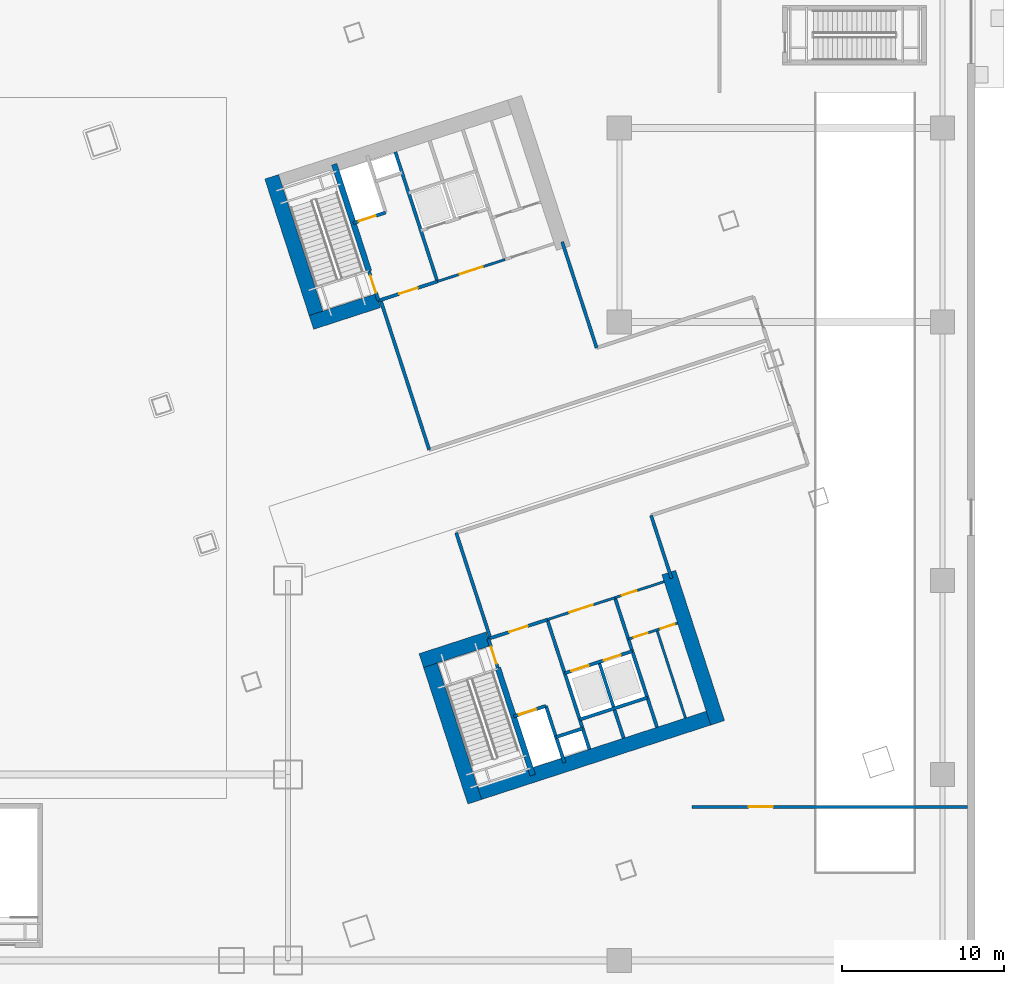
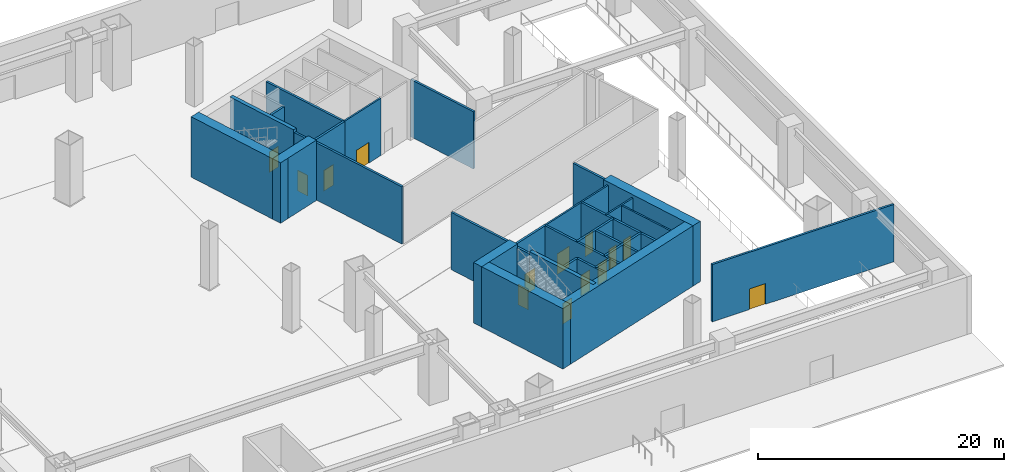
# One storey, part 16 of 31: 32 walls, 14 doors, 14 openings.
"""IFC4 building model written with IfcOpenShell, lengths in metres."""

from ifc_helpers import new_model, si_unit, direction, frame, frame_2d, origin, place, context, subcontext, project, spatial, rectangle, extrude, material, layer, layer_set, type_object, element, fill, save


model = new_model("IFC4")

# Units and contexts
model_context = context("Model", 3, precision=1e-05, world=origin(), true_north=direction((0.0, 1.0)))
body_context = subcontext(model_context, "Body", "Model", "MODEL_VIEW")
ifc_project = project(units=[si_unit("LENGTHUNIT", "METRE"), si_unit("AREAUNIT", "SQUARE_METRE"), si_unit("VOLUMEUNIT", "CUBIC_METRE"), si_unit("PLANEANGLEUNIT", "RADIAN"), si_unit("MASSUNIT", "GRAM", prefix="KILO")], contexts=[model_context])

# Site, building, storey
site_placement = place(None, origin())
site = spatial("IfcSite", under=ifc_project, at=site_placement, CompositionType="ELEMENT")
building_placement = place(site_placement, origin())
building = spatial("IfcBuilding", under=site, at=building_placement, Name="Qiaolan Cultural Towers", CompositionType="ELEMENT")
storey_placement = place(building_placement, origin())
storey = spatial("IfcBuildingStorey", under=building, at=storey_placement, Name="L00", CompositionType="ELEMENT", Elevation=0.0)

# Walls
ifc_material_1 = material(Name="Concrete C50", Category="concrete")
ifc_layer_1 = layer(ifc_material_1, 0.35009765625)
ifc_layer_set_1 = layer_set([ifc_layer_1], Name="Concrete C50")
wall_type_1 = type_object("IfcWallType", Name="WL-CORE-350", PredefinedType="SHEAR", material=ifc_layer_set_1)
for number, where, z_axis, x_axis, name in (
    (1, (90.486328125, 20.59423828125, 0.0), (0.0, 0.0, 1.0), (0.309020428229, -0.951055400562, 0.0), "L00 T2-CS Stair Core Dividing Web"),
    (2, (82.513671875, 45.13134765625, 0.0), (0.0, 0.0, 1.0), (-0.308988790936, 0.951065679686, 0.0), "L00 T2-CN Stair Core Dividing Web"),
):
    element("IfcWall", number, at=place(storey_placement, frame(where, z_axis=z_axis, x_axis=x_axis)), inside=storey, type_object=wall_type_1, Name=name, PredefinedType="SHEAR", context=body_context, shape_type="SweptSolid", body=[
        extrude(rectangle(XDim=6.97998046875, YDim=0.35009765625, at=frame_2d((3.489990234375, 0.0))), origin(), (0.0, 0.0, 1.0), 6.0),
    ])
ifc_material_2 = material(Name="Concrete C60", Category="concrete")
ifc_layer_2 = layer(ifc_material_2, 0.89990234375)
ifc_layer_set_2 = layer_set([ifc_layer_2], Name="Concrete C60")
wall_type_2 = type_object("IfcWallType", Name="WL-CORE-900", PredefinedType="SHEAR", material=ifc_layer_set_2)
wall_1_placement = place(storey_placement, frame((88.4873046875, 12.60546875, 0.0), z_axis=(0.0, 0.0, 1.0), x_axis=(0.951055016115, 0.309021611416, 0.0)))
element("IfcWall", 3, at=wall_1_placement, inside=storey, type_object=wall_type_2, Name="L00 T2-CS Outer Core Shear Wall", PredefinedType="SHEAR", context=body_context, shape_type="SweptSolid", body=[
    extrude(rectangle(XDim=16.699951171875, YDim=0.89990234375, at=frame_2d((8.35009765625, 0.0))), origin(), (0.0, 0.0, 1.0), 6.0),
])
wall_2_placement = place(storey_placement, frame((86.031982421875, 21.617919921875, 0.0), z_axis=(0.0, 0.0, 1.0), x_axis=(0.30901438634, -0.951057363693, 0.0)))
element("IfcWall", 4, at=wall_2_placement, inside=storey, type_object=wall_type_2, Name="L00 T2-CS West Core Shear Wall", PredefinedType="SHEAR", context=body_context, shape_type="SweptSolid", body=[
    extrude(rectangle(XDim=9.7802734375, YDim=0.89990234375, at=frame_2d((4.89013671875, 0.0))), origin(), (0.0, 0.0, 1.0), 6.0),
])
wall_3_placement = place(storey_placement, frame((101.058837890625, 26.500244140625, 0.0), z_axis=(0.0, 0.0, 1.0), x_axis=(0.309021722829, -0.951054979914, 0.0)))
element("IfcWall", 5, at=wall_3_placement, inside=storey, type_object=wall_type_2, Name="L00 T2-CS East Core Shear Wall", PredefinedType="SHEAR", context=body_context, shape_type="SweptSolid", body=[
    extrude(rectangle(XDim=9.780029296875, YDim=0.89990234375, at=frame_2d((4.89013671875, 0.0))), origin(), (0.0, 0.0, 1.0), 6.0),
])
wall_4_placement = place(storey_placement, frame((85.7431640625, 21.05078125, 0.0), z_axis=(0.0, 0.0, 1.0), x_axis=(0.951063623806, 0.308995118848, 0.0)))
element("IfcWall", 6, at=wall_4_placement, inside=storey, type_object=wall_type_2, Name="L00 T2-CS Stair Front Shear Wall", PredefinedType="SHEAR", context=body_context, shape_type="SweptSolid", body=[
    extrude(rectangle(XDim=4.3701171875, YDim=0.89990234375, at=frame_2d((2.18505859375, 0.0))), origin(), (0.0, 0.0, 1.0), 6.0),
])
wall_5_placement = place(storey_placement, frame((79.511962890625, 41.68505859375, 0.0), z_axis=(0.0, 0.0, 1.0), x_axis=(-0.309021722829, 0.951054979914, 0.0)))
element("IfcWall", 7, at=wall_5_placement, inside=storey, type_object=wall_type_2, Name="L00 T2-CN West Core Shear Wall", PredefinedType="SHEAR", context=body_context, shape_type="SweptSolid", body=[
    extrude(rectangle(XDim=9.780029296875, YDim=0.89990234375, at=frame_2d((4.89013671875, 0.0))), origin(), (0.0, 0.0, 1.0), 6.0),
])
wall_6_placement = place(storey_placement, frame((78.94482421875, 41.97412109375, 0.0), z_axis=(0.0, 0.0, 1.0), x_axis=(0.951058289404, 0.309011537255, 0.0)))
element("IfcWall", 8, at=wall_6_placement, inside=storey, type_object=wall_type_2, Name="L00 T2-CN Stair Front Shear Wall", PredefinedType="SHEAR", context=body_context, shape_type="SweptSolid", body=[
    extrude(rectangle(XDim=4.369873046875, YDim=0.89990234375, at=frame_2d((2.18505859375, 0.0))), origin(), (0.0, 0.0, 1.0), 6.0),
])

# Wall, opening, door
ifc_material_3 = material(Name="Concrete C35 Fire Wall", Category="concrete")
ifc_layer_3 = layer(ifc_material_3, 0.199951171875)
ifc_layer_set_3 = layer_set([ifc_layer_3], Name="Concrete C35 Fire Wall")
wall_type_3 = type_object("IfcWallType", Name="WL-FIRE-200", PredefinedType="PARTITIONING", material=ifc_layer_set_3)
wall_7_placement = place(storey_placement, frame((89.8994140625, 22.401123046875, 0.0), z_axis=(0.0, 0.0, 1.0), x_axis=(0.308932062672, -0.951084108086, 0.0)))
wall_7 = element("IfcWall", 9, at=wall_7_placement, inside=storey, type_object=wall_type_3, Name="L00 T2-CS Smokeproof Stair Entry Wall", PredefinedType="PARTITIONING", context=body_context, shape_type="SweptSolid", body=[
    extrude(rectangle(XDim=1.89990234375, YDim=0.199951171875, at=frame_2d((0.949951171875, 0.0))), origin(), (0.0, 0.0, 1.0), 5.68505859375),
])
opening_1_placement = place(wall_7_placement, frame((0.52001953125, 0.0, 0.0)))
opening_1 = element("IfcOpeningElement", 10, at=opening_1_placement, cuts=wall_7, Name="Opening FD-04", PredefinedType="OPENING", context=body_context, shape_type="SweptSolid", body=[
    extrude(rectangle(XDim=1.10009765625, YDim=2.050048828125, at=frame_2d((0.550048828125, 1.02490234375))), frame((0.0, 0.10986328125, 0.0), z_axis=(0.0, -1.0, 0.0), x_axis=(1.0, 0.0, 0.0)), (0.0, 0.0, 1.0), 0.219970703125),
])
ifc_material_4 = material(Name="Galvanized Steel Command Fire Door", Category="steel")
door_type_1 = type_object("IfcDoorType", Name="DR-FD90-1100", OperationType="NOTDEFINED", PredefinedType="DOOR", material=ifc_material_4)
door_1_placement = place(opening_1_placement, origin())
door_1 = element("IfcDoor", 11, at=door_1_placement, inside=storey, type_object=door_type_1, Name="L00 ST-E1 Smokeproof Stair Fire Door", OperationType="SINGLE_SWING_LEFT", OverallHeight=2.050048828125, OverallWidth=1.10009765625, PredefinedType="DOOR", context=body_context, shape_type="SweptSolid", body=[
    extrude(rectangle(XDim=1.10009765625, YDim=2.050048828125, at=frame_2d((0.550048828125, 1.02490234375))), frame((0.0, 0.02490234375, 0.0), z_axis=(0.0, -1.0, 0.0), x_axis=(1.0, 0.0, 0.0)), (0.0, 0.0, 1.0), 0.050048828125),
])
fill(opening_1, door_1)

# Wall
wall_8_placement = place(storey_placement, frame((93.541748046875, 23.584716796875, 0.0), z_axis=(0.0, 0.0, 1.0), x_axis=(0.309042196757, -0.951048327176, 0.0)))
element("IfcWall", 12, at=wall_8_placement, inside=storey, type_object=wall_type_3, Name="L00 T2-CS Firefighting Zone Wall", PredefinedType="PARTITIONING", context=body_context, shape_type="SweptSolid", body=[
    extrude(rectangle(XDim=8.429931640625, YDim=0.199951171875, at=frame_2d((4.21484375, 0.0))), origin(), (0.0, 0.0, 1.0), 5.68505859375),
])

# Wall, opening, door
wall_9_placement = place(storey_placement, frame((89.8994140625, 22.401123046875, 0.0), z_axis=(0.0, 0.0, 1.0), x_axis=(0.951046716504, 0.309047153403, 0.0)))
wall_9 = element("IfcWall", 13, at=wall_9_placement, inside=storey, type_object=wall_type_3, Name="L00 T2-CS Firefighting Lobby Front Wall", PredefinedType="PARTITIONING", context=body_context, shape_type="SweptSolid", body=[
    extrude(rectangle(XDim=3.829833984375, YDim=0.199951171875, at=frame_2d((1.9150390625, 0.0))), origin(), (0.0, 0.0, 1.0), 5.68505859375),
])
opening_2_placement = place(wall_9_placement, frame((1.35009765625, 0.0, 0.0)))
opening_2 = element("IfcOpeningElement", 14, at=opening_2_placement, cuts=wall_9, Name="Opening FD-03", PredefinedType="OPENING", context=body_context, shape_type="SweptSolid", body=[
    extrude(rectangle(XDim=1.199951171875, YDim=2.050048828125, at=frame_2d((0.60009765625, 1.02490234375))), frame((0.0, 0.10986328125, 0.0), z_axis=(0.0, -1.0, 0.0), x_axis=(1.0, 0.0, 0.0)), (0.0, 0.0, 1.0), 0.219970703125),
])
ifc_material_5 = material(Name="Galvanized Steel Smokeproof Lobby Fire Door", Category="steel")
door_type_2 = type_object("IfcDoorType", Name="DR-FD90-1200", OperationType="NOTDEFINED", PredefinedType="DOOR", material=ifc_material_5)
door_2_placement = place(opening_2_placement, origin())
door_2 = element("IfcDoor", 15, at=door_2_placement, inside=storey, type_object=door_type_2, Name="L00 FFL-E1 Firefighting Lobby Fire Door", OperationType="SINGLE_SWING_LEFT", OverallHeight=2.050048828125, OverallWidth=1.199951171875, PredefinedType="DOOR", context=body_context, shape_type="SweptSolid", body=[
    extrude(rectangle(XDim=1.199951171875, YDim=2.050048828125, at=frame_2d((0.60009765625, 1.02490234375))), frame((0.0, 0.02490234375, 0.0), z_axis=(0.0, -1.0, 0.0), x_axis=(1.0, 0.0, 0.0)), (0.0, 0.0, 1.0), 0.050048828125),
])
fill(opening_2, door_2)

wall_10_placement = place(storey_placement, frame((91.459716796875, 17.598388671875, 0.0), z_axis=(0.0, 0.0, 1.0), x_axis=(0.951062257173, 0.308999325213, 0.0)))
wall_10 = element("IfcWall", 16, at=wall_10_placement, inside=storey, type_object=wall_type_3, Name="L00 T2-CS Firefighting Shaft Front Wall", PredefinedType="PARTITIONING", context=body_context, shape_type="SweptSolid", body=[
    extrude(rectangle(XDim=2.10009765625, YDim=0.199951171875, at=frame_2d((1.050048828125, 0.0))), origin(), (0.0, 0.0, 1.0), 5.68505859375),
])
opening_3_placement = place(wall_10_placement, frame((0.35009765625, 0.0, 0.0)))
opening_3 = element("IfcOpeningElement", 17, at=opening_3_placement, cuts=wall_10, Name="Opening LD-01", PredefinedType="OPENING", context=body_context, shape_type="SweptSolid", body=[
    extrude(rectangle(XDim=1.10009765625, YDim=2.050048828125, at=frame_2d((0.550048828125, 1.02490234375))), frame((0.0, 0.10986328125, 0.0), z_axis=(0.0, -1.0, 0.0), x_axis=(1.0, 0.0, 0.0)), (0.0, 0.0, 1.0), 0.219970703125),
])
ifc_material_6 = material(Name="Brushed Stainless Steel S30408 Centre-Parting Lift Landing Door", Category="steel")
door_type_3 = type_object("IfcDoorType", Name="DR-LIFT-1100", OperationType="NOTDEFINED", PredefinedType="DOOR", material=ifc_material_6)
door_3_placement = place(opening_3_placement, origin())
door_3 = element("IfcDoor", 18, at=door_3_placement, inside=storey, type_object=door_type_3, Name="L00 FFL-E1 Firefighting Lift Landing Door", OperationType="DOUBLE_DOOR_SLIDING", OverallHeight=2.050048828125, OverallWidth=1.10009765625, PredefinedType="DOOR", context=body_context, shape_type="SweptSolid", body=[
    extrude(rectangle(XDim=1.10009765625, YDim=2.050048828125, at=frame_2d((0.550048828125, 1.02490234375))), frame((0.0, 0.02490234375, 0.0), z_axis=(0.0, -1.0, 0.0), x_axis=(1.0, 0.0, 0.0)), (0.0, 0.0, 1.0), 0.050048828125),
])
fill(opening_3, door_3)

# Walls
wall_11_placement = place(storey_placement, frame((93.45703125, 18.247314453125, 0.0), z_axis=(0.0, 0.0, 1.0), x_axis=(0.3089935693, -0.951064127245, 0.0)))
element("IfcWall", 19, at=wall_11_placement, inside=storey, type_object=wall_type_3, Name="L00 T2-CS Firefighting Hoistway East Wall", PredefinedType="PARTITIONING", context=body_context, shape_type="SweptSolid", body=[
    extrude(rectangle(XDim=3.7001953125, YDim=0.199951171875, at=frame_2d((1.85009765625, 0.0))), origin(), (0.0, 0.0, 1.0), 5.68505859375),
])
wall_12_placement = place(storey_placement, frame((94.08447265625, 16.316650390625, 0.0), z_axis=(0.0, 0.0, 1.0), x_axis=(0.951041328149, 0.309063734775, 0.0)))
element("IfcWall", 20, at=wall_12_placement, inside=storey, type_object=wall_type_3, Name="L00 T2-CS Pressurization Shaft Front Wall", PredefinedType="PARTITIONING", context=body_context, shape_type="SweptSolid", body=[
    extrude(rectangle(XDim=1.72998046875, YDim=0.199951171875, at=frame_2d((0.864990234375, 0.0))), origin(), (0.0, 0.0, 1.0), 5.68505859375),
])
wall_13_placement = place(storey_placement, frame((97.7265625, 24.9443359375, 0.0), z_axis=(0.0, 0.0, 1.0), x_axis=(0.309016001439, -0.951056838919, 0.0)))
element("IfcWall", 21, at=wall_13_placement, inside=storey, type_object=wall_type_3, Name="L00 T2-CS Lift Core East Wall", PredefinedType="PARTITIONING", context=body_context, shape_type="SweptSolid", body=[
    extrude(rectangle(XDim=8.429931640625, YDim=0.199951171875, at=frame_2d((4.21484375, 0.0))), origin(), (0.0, 0.0, 1.0), 5.68505859375),
])

# Wall, openings, doors
wall_14_placement = place(storey_placement, frame((94.6171875, 20.275146484375, 0.0), z_axis=(0.0, 0.0, 1.0), x_axis=(0.951058531764, 0.30901079133, 0.0)))
wall_14 = element("IfcWall", 22, at=wall_14_placement, inside=storey, type_object=wall_type_3, Name="L00 T2-CS Passenger Lift Shaft Front Wall", PredefinedType="PARTITIONING", context=body_context, shape_type="SweptSolid", body=[
    extrude(rectangle(XDim=4.39990234375, YDim=0.199951171875, at=frame_2d((2.199951171875, 0.0))), origin(), (0.0, 0.0, 1.0), 5.68505859375),
])
opening_4_placement = place(wall_14_placement, frame((0.449951171875, 0.0, 0.0)))
opening_4 = element("IfcOpeningElement", 23, at=opening_4_placement, cuts=wall_14, Name="Opening LD-01", PredefinedType="OPENING", context=body_context, shape_type="SweptSolid", body=[
    extrude(rectangle(XDim=1.10009765625, YDim=2.050048828125, at=frame_2d((0.550048828125, 1.02490234375))), frame((0.0, 0.10986328125, 0.0), z_axis=(0.0, -1.0, 0.0), x_axis=(1.0, 0.0, 0.0)), (0.0, 0.0, 1.0), 0.219970703125),
])
opening_5_placement = place(wall_14_placement, frame((2.550048828125, 0.0, 0.0)))
opening_5 = element("IfcOpeningElement", 24, at=opening_5_placement, cuts=wall_14, Name="Opening LD-01", PredefinedType="OPENING", context=body_context, shape_type="SweptSolid", body=[
    extrude(rectangle(XDim=1.10009765625, YDim=2.050048828125, at=frame_2d((0.550048828125, 1.02490234375))), frame((0.0, 0.10986328125, 0.0), z_axis=(0.0, -1.0, 0.0), x_axis=(1.0, 0.0, 0.0)), (0.0, 0.0, 1.0), 0.219970703125),
])
door_4_placement = place(opening_4_placement, origin())
door_4 = element("IfcDoor", 25, at=door_4_placement, inside=storey, type_object=door_type_3, Name="L00 Passenger Lift 1 Landing Door", OperationType="DOUBLE_DOOR_SLIDING", OverallHeight=2.050048828125, OverallWidth=1.10009765625, PredefinedType="DOOR", context=body_context, shape_type="SweptSolid", body=[
    extrude(rectangle(XDim=1.10009765625, YDim=2.050048828125, at=frame_2d((0.550048828125, 1.02490234375))), frame((0.0, 0.02490234375, 0.0), z_axis=(0.0, -1.0, 0.0), x_axis=(1.0, 0.0, 0.0)), (0.0, 0.0, 1.0), 0.050048828125),
])
fill(opening_4, door_4)
door_5_placement = place(opening_5_placement, origin())
door_5 = element("IfcDoor", 26, at=door_5_placement, inside=storey, type_object=door_type_3, Name="L00 Passenger Lift 2 Landing Door", OperationType="DOUBLE_DOOR_SLIDING", OverallHeight=2.050048828125, OverallWidth=1.10009765625, PredefinedType="DOOR", context=body_context, shape_type="SweptSolid", body=[
    extrude(rectangle(XDim=1.10009765625, YDim=2.050048828125, at=frame_2d((0.550048828125, 1.02490234375))), frame((0.0, 0.02490234375, 0.0), z_axis=(0.0, -1.0, 0.0), x_axis=(1.0, 0.0, 0.0)), (0.0, 0.0, 1.0), 0.050048828125),
])
fill(opening_5, door_5)

# Walls
wall_15_placement = place(storey_placement, frame((96.738037109375, 20.964111328125, 0.0), z_axis=(0.0, 0.0, 1.0), x_axis=(0.309042578481, -0.951048203135, 0.0)))
element("IfcWall", 27, at=wall_15_placement, inside=storey, type_object=wall_type_3, Name="L00 T2-CS Lift Shaft Divider Wall", PredefinedType="PARTITIONING", context=body_context, shape_type="SweptSolid", body=[
    extrude(rectangle(XDim=4.9501953125, YDim=0.199951171875, at=frame_2d((2.47509765625, 0.0))), origin(), (0.0, 0.0, 1.0), 5.68505859375),
])
wall_16_placement = place(storey_placement, frame((95.550537109375, 17.40283203125, 0.0), z_axis=(0.0, 0.0, 1.0), x_axis=(0.951058531764, 0.30901079133, 0.0)))
element("IfcWall", 28, at=wall_16_placement, inside=storey, type_object=wall_type_3, Name="L00 T2-CS Passenger Lift Shaft Back Wall", PredefinedType="PARTITIONING", context=body_context, shape_type="SweptSolid", body=[
    extrude(rectangle(XDim=4.39990234375, YDim=0.199951171875, at=frame_2d((2.199951171875, 0.0))), origin(), (0.0, 0.0, 1.0), 5.68505859375),
])

# Wall, opening, door
wall_17_placement = place(storey_placement, frame((83.100830078125, 43.324462890625, 0.0), z_axis=(0.0, 0.0, 1.0), x_axis=(-0.309048298632, 0.951046344356, 0.0)))
wall_17 = element("IfcWall", 29, at=wall_17_placement, inside=storey, type_object=wall_type_3, Name="L00 T2-CN Smokeproof Stair Entry Wall", PredefinedType="PARTITIONING", context=body_context, shape_type="SweptSolid", body=[
    extrude(rectangle(XDim=1.89990234375, YDim=0.199951171875, at=frame_2d((0.949951171875, 0.0))), origin(), (0.0, 0.0, 1.0), 5.68505859375),
])
opening_6_placement = place(wall_17_placement, frame((0.52001953125, 0.0, 0.0)))
opening_6 = element("IfcOpeningElement", 30, at=opening_6_placement, cuts=wall_17, Name="Opening FD-04", PredefinedType="OPENING", context=body_context, shape_type="SweptSolid", body=[
    extrude(rectangle(XDim=1.10009765625, YDim=2.050048828125, at=frame_2d((0.550048828125, 1.02490234375))), frame((0.0, 0.10986328125, 0.0), z_axis=(0.0, -1.0, 0.0), x_axis=(1.0, 0.0, 0.0)), (0.0, 0.0, 1.0), 0.219970703125),
])
door_6_placement = place(opening_6_placement, origin())
door_6 = element("IfcDoor", 31, at=door_6_placement, inside=storey, type_object=door_type_1, Name="L00 ST-E2 Smokeproof Stair Fire Door", OperationType="SINGLE_SWING_LEFT", OverallHeight=2.050048828125, OverallWidth=1.10009765625, PredefinedType="DOOR", context=body_context, shape_type="SweptSolid", body=[
    extrude(rectangle(XDim=1.10009765625, YDim=2.050048828125, at=frame_2d((0.550048828125, 1.02490234375))), frame((0.0, 0.02490234375, 0.0), z_axis=(0.0, -1.0, 0.0), x_axis=(1.0, 0.0, 0.0)), (0.0, 0.0, 1.0), 0.050048828125),
])
fill(opening_6, door_6)

# Wall
wall_18_placement = place(storey_placement, frame((86.743408203125, 44.508056640625, 0.0), z_axis=(0.0, 0.0, 1.0), x_axis=(-0.309016001439, 0.951056838919, 0.0)))
element("IfcWall", 32, at=wall_18_placement, inside=storey, type_object=wall_type_3, Name="L00 T2-CN Firefighting Zone Wall", PredefinedType="PARTITIONING", context=body_context, shape_type="SweptSolid", body=[
    extrude(rectangle(XDim=8.429931640625, YDim=0.199951171875, at=frame_2d((4.21484375, 0.0))), origin(), (0.0, 0.0, 1.0), 5.68505859375),
])

# Wall, opening, door
wall_19_placement = place(storey_placement, frame((83.100830078125, 43.324462890625, 0.0), z_axis=(0.0, 0.0, 1.0), x_axis=(0.951052804469, 0.309028417967, 0.0)))
wall_19 = element("IfcWall", 33, at=wall_19_placement, inside=storey, type_object=wall_type_3, Name="L00 T2-CN Firefighting Lobby Front Wall", PredefinedType="PARTITIONING", context=body_context, shape_type="SweptSolid", body=[
    extrude(rectangle(XDim=3.830078125, YDim=0.199951171875, at=frame_2d((1.9150390625, 0.0))), origin(), (0.0, 0.0, 1.0), 5.68505859375),
])
opening_7_placement = place(wall_19_placement, frame((1.35009765625, 0.0, 0.0)))
opening_7 = element("IfcOpeningElement", 34, at=opening_7_placement, cuts=wall_19, Name="Opening FD-03", PredefinedType="OPENING", context=body_context, shape_type="SweptSolid", body=[
    extrude(rectangle(XDim=1.199951171875, YDim=2.050048828125, at=frame_2d((0.60009765625, 1.02490234375))), frame((0.0, 0.10986328125, 0.0), z_axis=(0.0, -1.0, 0.0), x_axis=(1.0, 0.0, 0.0)), (0.0, 0.0, 1.0), 0.219970703125),
])
door_7_placement = place(opening_7_placement, origin())
door_7 = element("IfcDoor", 35, at=door_7_placement, inside=storey, type_object=door_type_2, Name="L00 FFL-E2 Firefighting Lobby Fire Door", OperationType="SINGLE_SWING_LEFT", OverallHeight=2.050048828125, OverallWidth=1.199951171875, PredefinedType="DOOR", context=body_context, shape_type="SweptSolid", body=[
    extrude(rectangle(XDim=1.199951171875, YDim=2.050048828125, at=frame_2d((0.60009765625, 1.02490234375))), frame((0.0, 0.02490234375, 0.0), z_axis=(0.0, -1.0, 0.0), x_axis=(1.0, 0.0, 0.0)), (0.0, 0.0, 1.0), 0.050048828125),
])
fill(opening_7, door_7)

wall_20_placement = place(storey_placement, frame((81.540283203125, 48.127197265625, 0.0), z_axis=(0.0, 0.0, 1.0), x_axis=(0.951062257173, 0.308999325213, 0.0)))
wall_20 = element("IfcWall", 36, at=wall_20_placement, inside=storey, type_object=wall_type_3, Name="L00 T2-CN Firefighting Shaft Front Wall", PredefinedType="PARTITIONING", context=body_context, shape_type="SweptSolid", body=[
    extrude(rectangle(XDim=2.10009765625, YDim=0.199951171875, at=frame_2d((1.050048828125, 0.0))), origin(), (0.0, 0.0, 1.0), 5.68505859375),
])
opening_8_placement = place(wall_20_placement, frame((0.35009765625, 0.0, 0.0)))
opening_8 = element("IfcOpeningElement", 37, at=opening_8_placement, cuts=wall_20, Name="Opening LD-01", PredefinedType="OPENING", context=body_context, shape_type="SweptSolid", body=[
    extrude(rectangle(XDim=1.10009765625, YDim=2.050048828125, at=frame_2d((0.550048828125, 1.02490234375))), frame((0.0, 0.10986328125, 0.0), z_axis=(0.0, -1.0, 0.0), x_axis=(1.0, 0.0, 0.0)), (0.0, 0.0, 1.0), 0.219970703125),
])
door_8_placement = place(opening_8_placement, origin())
door_8 = element("IfcDoor", 38, at=door_8_placement, inside=storey, type_object=door_type_3, Name="L00 FFL-E2 Firefighting Lift Landing Door", OperationType="DOUBLE_DOOR_SLIDING", OverallHeight=2.050048828125, OverallWidth=1.10009765625, PredefinedType="DOOR", context=body_context, shape_type="SweptSolid", body=[
    extrude(rectangle(XDim=1.10009765625, YDim=2.050048828125, at=frame_2d((0.550048828125, 1.02490234375))), frame((0.0, 0.02490234375, 0.0), z_axis=(0.0, -1.0, 0.0), x_axis=(1.0, 0.0, 0.0)), (0.0, 0.0, 1.0), 0.050048828125),
])
fill(opening_8, door_8)

wall_21_placement = place(storey_placement, frame((102.5, 12.0, 0.0), z_axis=(0.0, 0.0, 1.0), x_axis=(1.0, 0.0, 0.0)))
wall_21 = element("IfcWall", 39, at=wall_21_placement, inside=storey, type_object=wall_type_3, Name="L00 Podium Partition L00-SE-EXN", PredefinedType="PARTITIONING", context=body_context, shape_type="SweptSolid", body=[
    extrude(rectangle(XDim=17.050048828125, YDim=0.199951171875, at=frame_2d((8.52490234375, 0.0))), origin(), (0.0, 0.0, 1.0), 5.68505859375),
])
opening_9_placement = place(wall_21_placement, frame((3.5, 0.0, 0.0)))
opening_9 = element("IfcOpeningElement", 40, at=opening_9_placement, cuts=wall_21, Name="Opening FD-02", PredefinedType="OPENING", context=body_context, shape_type="SweptSolid", body=[
    extrude(rectangle(XDim=1.5, YDim=2.050048828125, at=frame_2d((0.75, 1.02490234375))), frame((0.0, 0.10986328125, 0.0), z_axis=(0.0, -1.0, 0.0), x_axis=(1.0, 0.0, 0.0)), (0.0, 0.0, 1.0), 0.219970703125),
])
ifc_material_7 = material(Name="Galvanized Steel Double Fire Door", Category="steel")
door_type_4 = type_object("IfcDoorType", Name="DR-FD90-1500", OperationType="NOTDEFINED", PredefinedType="DOOR", material=ifc_material_7)
door_9_placement = place(opening_9_placement, origin())
door_9 = element("IfcDoor", 41, at=door_9_placement, inside=storey, type_object=door_type_4, Name="Southeast Protected Stair Exit Corridor Fire Door", OperationType="SINGLE_SWING_RIGHT", OverallHeight=2.050048828125, OverallWidth=1.5, PredefinedType="DOOR", context=body_context, shape_type="SweptSolid", body=[
    extrude(rectangle(XDim=1.5, YDim=2.050048828125, at=frame_2d((0.75, 1.02490234375))), frame((0.0, 0.02490234375, 0.0), z_axis=(0.0, -1.0, 0.0), x_axis=(1.0, 0.0, 0.0)), (0.0, 0.0, 1.0), 0.050048828125),
])
fill(opening_9, door_9)

# Walls
wall_22_placement = place(storey_placement, frame((90.007568359375, 22.489013671875, 0.0), z_axis=(0.0, 0.0, 1.0), x_axis=(-0.309023559774, 0.951054383043, 0.0)))
element("IfcWall", 42, at=wall_22_placement, inside=storey, type_object=wall_type_3, Name="L00 ST-E1 Passageway West Wall", PredefinedType="PARTITIONING", context=body_context, shape_type="SweptSolid", body=[
    extrude(rectangle(XDim=6.7998046875, YDim=0.199951171875, at=frame_2d((3.39990234375, 0.0))), origin(), (0.0, 0.0, 1.0), 5.68505859375),
])
wall_23_placement = place(storey_placement, frame((101.22998046875, 26.13525390625, 0.0), z_axis=(0.0, 0.0, 1.0), x_axis=(-0.30903760131, 0.951049820449, 0.0)))
element("IfcWall", 43, at=wall_23_placement, inside=storey, type_object=wall_type_3, Name="L00 ST-E1 Passageway Inner Wall", PredefinedType="PARTITIONING", context=body_context, shape_type="SweptSolid", body=[
    extrude(rectangle(XDim=4.10009765625, YDim=0.199951171875, at=frame_2d((2.050048828125, 0.0))), origin(), (0.0, 0.0, 1.0), 5.68505859375),
])
wall_24_placement = place(storey_placement, frame((86.237548828125, 34.091796875, 0.0), z_axis=(0.0, 0.0, 1.0), x_axis=(-0.309022900594, 0.951054597228, 0.0)))
element("IfcWall", 44, at=wall_24_placement, inside=storey, type_object=wall_type_3, Name="L00 ST-E2 Passageway West Wall", PredefinedType="PARTITIONING", context=body_context, shape_type="SweptSolid", body=[
    extrude(rectangle(XDim=9.7001953125, YDim=0.199951171875, at=frame_2d((4.85009765625, 0.0))), origin(), (0.0, 0.0, 1.0), 5.68505859375),
])
wall_25_placement = place(storey_placement, frame((94.46240234375, 46.96337890625, 0.0), z_axis=(0.0, 0.0, 1.0), x_axis=(0.309032467762, -0.951051488548, 0.0)))
element("IfcWall", 45, at=wall_25_placement, inside=storey, type_object=wall_type_3, Name="L00 ST-E2 Passageway Inner Wall", PredefinedType="PARTITIONING", context=body_context, shape_type="SweptSolid", body=[
    extrude(rectangle(XDim=6.89990234375, YDim=0.199951171875, at=frame_2d((3.449951171875, 0.0))), origin(), (0.0, 0.0, 1.0), 5.68505859375),
])

# Wall, opening, door
ifc_material_8 = material(Name="Autoclaved Aerated Concrete Block B06", Category="concrete")
ifc_layer_4 = layer(ifc_material_8, 0.14990234375)
ifc_layer_set_4 = layer_set([ifc_layer_4], Name="Autoclaved Aerated Concrete Block B06")
wall_type_4 = type_object("IfcWallType", Name="WL-PART-150", PredefinedType="PARTITIONING", material=ifc_layer_set_4)
wall_26_placement = place(storey_placement, frame((93.541748046875, 23.584716796875, 0.0), z_axis=(0.0, 0.0, 1.0), x_axis=(0.951063829732, 0.308994485023, 0.0)))
wall_26 = element("IfcWall", 46, at=wall_26_placement, inside=storey, type_object=wall_type_4, Name="L00 T2-CS Passenger Lift Lobby Front Wall", PredefinedType="PARTITIONING", context=body_context, shape_type="SweptSolid", body=[
    extrude(rectangle(XDim=4.400146484375, YDim=0.14990234375, at=frame_2d((2.2001953125, 0.0))), origin(), (0.0, 0.0, 1.0), 5.68505859375),
])
opening_10_placement = place(wall_26_placement, frame((1.449951171875, 0.0, 0.0)))
opening_10 = element("IfcOpeningElement", 47, at=opening_10_placement, cuts=wall_26, Name="Opening FD-05", PredefinedType="OPENING", context=body_context, shape_type="SweptSolid", body=[
    extrude(rectangle(XDim=1.5, YDim=2.050048828125, at=frame_2d((0.75, 1.02490234375))), frame((0.0, 0.0849609375, 0.0), z_axis=(0.0, -1.0, 0.0), x_axis=(1.0, 0.0, 0.0)), (0.0, 0.0, 1.0), 0.169921875),
])
ifc_material_9 = material(Name="Painted Steel Lift Lobby Fire Door", Category="steel")
door_type_5 = type_object("IfcDoorType", Name="DR-FD60-1500", OperationType="NOTDEFINED", PredefinedType="DOOR", material=ifc_material_9)
door_10_placement = place(opening_10_placement, origin())
door_10 = element("IfcDoor", 48, at=door_10_placement, inside=storey, type_object=door_type_5, Name="L00 Passenger Lift Lobby Entrance", OperationType="SINGLE_SWING_LEFT", OverallHeight=2.050048828125, OverallWidth=1.5, PredefinedType="DOOR", context=body_context, shape_type="SweptSolid", body=[
    extrude(rectangle(XDim=1.5, YDim=2.050048828125, at=frame_2d((0.75, 1.02490234375))), frame((0.0, 0.02490234375, 0.0), z_axis=(0.0, -1.0, 0.0), x_axis=(1.0, 0.0, 0.0)), (0.0, 0.0, 1.0), 0.050048828125),
])
fill(opening_10, door_10)

wall_27_placement = place(storey_placement, frame((97.7265625, 24.9443359375, 0.0), z_axis=(0.0, 0.0, 1.0), x_axis=(0.951036872128, 0.309077446369, 0.0)))
wall_27 = element("IfcWall", 49, at=wall_27_placement, inside=storey, type_object=wall_type_4, Name="L00 T2-CS Sanitary Core Front Wall", PredefinedType="PARTITIONING", context=body_context, shape_type="SweptSolid", body=[
    extrude(rectangle(XDim=3.199951171875, YDim=0.14990234375, at=frame_2d((1.60009765625, 0.0))), origin(), (0.0, 0.0, 1.0), 5.68505859375),
])
opening_11_placement = place(wall_27_placement, frame((0.449951171875, 0.0, 0.0)))
opening_11 = element("IfcOpeningElement", 50, at=opening_11_placement, cuts=wall_27, Name="Opening ID-05", PredefinedType="OPENING", context=body_context, shape_type="SweptSolid", body=[
    extrude(rectangle(XDim=0.949951171875, YDim=2.050048828125, at=frame_2d((0.47509765625, 1.02490234375))), frame((0.0, 0.0849609375, 0.0), z_axis=(0.0, -1.0, 0.0), x_axis=(1.0, 0.0, 0.0)), (0.0, 0.0, 1.0), 0.169921875),
])
ifc_material_10 = material(Name="Fire-Rated Laminate Accessible Core Door", Category="timber")
door_type_6 = type_object("IfcDoorType", Name="DR-INT-950", OperationType="NOTDEFINED", PredefinedType="DOOR", material=ifc_material_10)
door_11_placement = place(opening_11_placement, origin())
door_11 = element("IfcDoor", 51, at=door_11_placement, inside=storey, type_object=door_type_6, Name="L00 Sanitary Vestibule Door", OperationType="SINGLE_SWING_LEFT", OverallHeight=2.050048828125, OverallWidth=0.949951171875, PredefinedType="DOOR", context=body_context, shape_type="SweptSolid", body=[
    extrude(rectangle(XDim=0.949951171875, YDim=2.050048828125, at=frame_2d((0.47509765625, 1.02490234375))), frame((0.0, 0.02490234375, 0.0), z_axis=(0.0, -1.0, 0.0), x_axis=(1.0, 0.0, 0.0)), (0.0, 0.0, 1.0), 0.050048828125),
])
fill(opening_11, door_11)

# Wall, openings, doors
wall_28_placement = place(storey_placement, frame((98.560791015625, 22.37646484375, 0.0), z_axis=(0.0, 0.0, 1.0), x_axis=(0.95104415986, 0.309055020985, 0.0)))
wall_28 = element("IfcWall", 52, at=wall_28_placement, inside=storey, type_object=wall_type_4, Name="L00 T2-CS Restroom Vestibule Wall", PredefinedType="PARTITIONING", context=body_context, shape_type="SweptSolid", body=[
    extrude(rectangle(XDim=3.2001953125, YDim=0.14990234375, at=frame_2d((1.60009765625, 0.0))), origin(), (0.0, 0.0, 1.0), 5.68505859375),
])
opening_12_placement = place(wall_28_placement, frame((0.35009765625, 0.0, 0.0)))
opening_12 = element("IfcOpeningElement", 53, at=opening_12_placement, cuts=wall_28, Name="Opening ID-06", PredefinedType="OPENING", context=body_context, shape_type="SweptSolid", body=[
    extrude(rectangle(XDim=0.89990234375, YDim=2.050048828125, at=frame_2d((0.449951171875, 1.02490234375))), frame((0.0, 0.0849609375, 0.0), z_axis=(0.0, -1.0, 0.0), x_axis=(1.0, 0.0, 0.0)), (0.0, 0.0, 1.0), 0.169921875),
])
opening_13_placement = place(wall_28_placement, frame((2.10009765625, 0.0, 0.0)))
opening_13 = element("IfcOpeningElement", 54, at=opening_13_placement, cuts=wall_28, Name="Opening ID-06", PredefinedType="OPENING", context=body_context, shape_type="SweptSolid", body=[
    extrude(rectangle(XDim=0.89990234375, YDim=2.050048828125, at=frame_2d((0.449951171875, 1.02490234375))), frame((0.0, 0.0849609375, 0.0), z_axis=(0.0, -1.0, 0.0), x_axis=(1.0, 0.0, 0.0)), (0.0, 0.0, 1.0), 0.169921875),
])
ifc_material_11 = material(Name="Fire-Rated Laminate Core Service Door", Category="timber")
door_type_7 = type_object("IfcDoorType", Name="DR-INT-900", OperationType="NOTDEFINED", PredefinedType="DOOR", material=ifc_material_11)
door_12_placement = place(opening_12_placement, origin())
door_12 = element("IfcDoor", 55, at=door_12_placement, inside=storey, type_object=door_type_7, Name="L00 Men Restroom Door", OperationType="SINGLE_SWING_LEFT", OverallHeight=2.050048828125, OverallWidth=0.89990234375, PredefinedType="DOOR", context=body_context, shape_type="SweptSolid", body=[
    extrude(rectangle(XDim=0.89990234375, YDim=2.050048828125, at=frame_2d((0.449951171875, 1.02490234375))), frame((0.0, 0.02490234375, 0.0), z_axis=(0.0, -1.0, 0.0), x_axis=(1.0, 0.0, 0.0)), (0.0, 0.0, 1.0), 0.050048828125),
])
fill(opening_12, door_12)
door_13_placement = place(opening_13_placement, origin())
door_13 = element("IfcDoor", 56, at=door_13_placement, inside=storey, type_object=door_type_7, Name="L00 Accessible & Women Restroom Door", OperationType="SINGLE_SWING_RIGHT", OverallHeight=2.050048828125, OverallWidth=0.89990234375, PredefinedType="DOOR", context=body_context, shape_type="SweptSolid", body=[
    extrude(rectangle(XDim=0.89990234375, YDim=2.050048828125, at=frame_2d((0.449951171875, 1.02490234375))), frame((0.0, 0.02490234375, 0.0), z_axis=(0.0, -1.0, 0.0), x_axis=(1.0, 0.0, 0.0)), (0.0, 0.0, 1.0), 0.050048828125),
])
fill(opening_13, door_13)

# Wall
wall_29_placement = place(storey_placement, frame((100.3203125, 22.9482421875, 0.0), z_axis=(0.0, 0.0, 1.0), x_axis=(0.309035009867, -0.951050662518, 0.0)))
element("IfcWall", 57, at=wall_29_placement, inside=storey, type_object=wall_type_4, Name="L00 T2-CS Restroom Divider Wall", PredefinedType="PARTITIONING", context=body_context, shape_type="SweptSolid", body=[
    extrude(rectangle(XDim=5.72998046875, YDim=0.14990234375, at=frame_2d((2.864990234375, 0.0))), origin(), (0.0, 0.0, 1.0), 5.68505859375),
])

# Wall, opening, door
wall_30_placement = place(storey_placement, frame((86.743408203125, 44.508056640625, 0.0), z_axis=(0.0, 0.0, 1.0), x_axis=(0.951063829732, 0.308994485023, 0.0)))
wall_30 = element("IfcWall", 58, at=wall_30_placement, inside=storey, type_object=wall_type_4, Name="L00 T2-CN Passenger Lift Lobby Front Wall", PredefinedType="PARTITIONING", context=body_context, shape_type="SweptSolid", body=[
    extrude(rectangle(XDim=4.400146484375, YDim=0.14990234375, at=frame_2d((2.2001953125, 0.0))), origin(), (0.0, 0.0, 1.0), 5.68505859375),
])
opening_14_placement = place(wall_30_placement, frame((1.449951171875, 0.0, 0.0)))
opening_14 = element("IfcOpeningElement", 59, at=opening_14_placement, cuts=wall_30, Name="Opening FD-05", PredefinedType="OPENING", context=body_context, shape_type="SweptSolid", body=[
    extrude(rectangle(XDim=1.5, YDim=2.050048828125, at=frame_2d((0.75, 1.02490234375))), frame((0.0, 0.0849609375, 0.0), z_axis=(0.0, -1.0, 0.0), x_axis=(1.0, 0.0, 0.0)), (0.0, 0.0, 1.0), 0.169921875),
])
door_14_placement = place(opening_14_placement, origin())
door_14 = element("IfcDoor", 60, at=door_14_placement, inside=storey, type_object=door_type_5, Name="L00 Passenger Lift Lobby Entrance", OperationType="SINGLE_SWING_LEFT", OverallHeight=2.050048828125, OverallWidth=1.5, PredefinedType="DOOR", context=body_context, shape_type="SweptSolid", body=[
    extrude(rectangle(XDim=1.5, YDim=2.050048828125, at=frame_2d((0.75, 1.02490234375))), frame((0.0, 0.02490234375, 0.0), z_axis=(0.0, -1.0, 0.0), x_axis=(1.0, 0.0, 0.0)), (0.0, 0.0, 1.0), 0.050048828125),
])
fill(opening_14, door_14)

save(model, "model.ifc")
